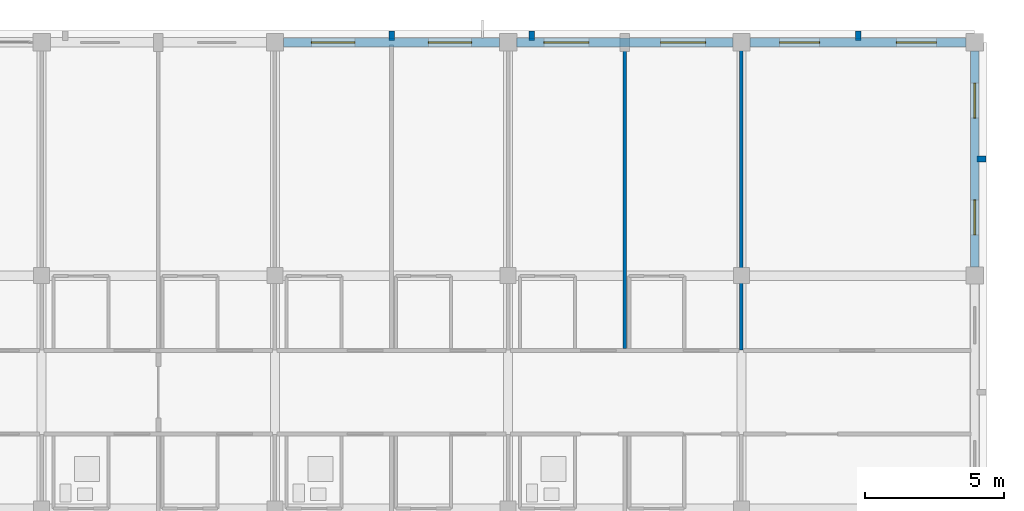
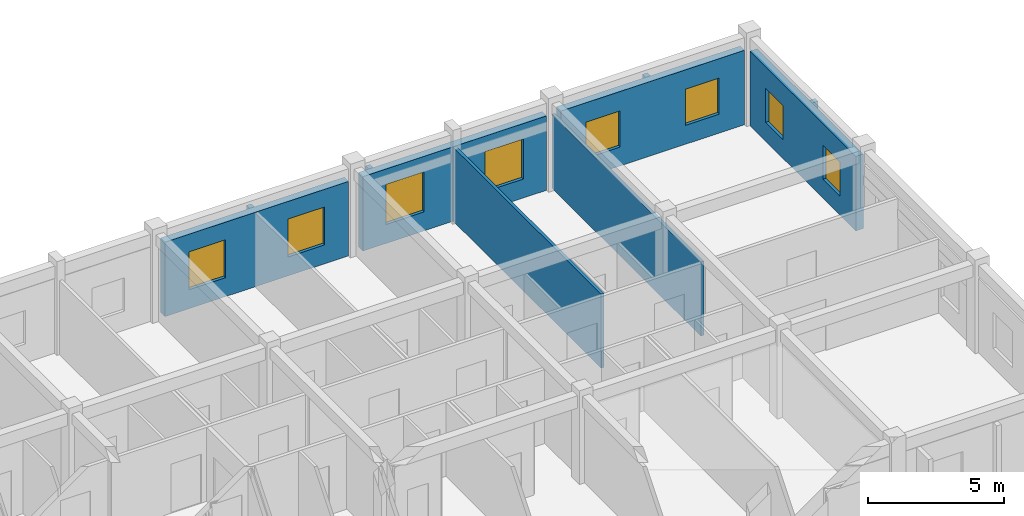
# One storey, part 73 of 81: 10 walls, 8 windows, 8 openings.
"""IFC4 building model written with IfcOpenShell, lengths in metres."""

from ifc_helpers import new_model, si_unit, direction, frame, frame_2d, origin, place, context, subcontext, project, spatial, rectangle, extrude, material, layer, layer_set, type_object, element, fill, save


model = new_model("IFC4")

# Units and contexts
model_context = context("Model", 3, precision=1e-05, world=origin(), true_north=direction((0.0, 1.0)))
body_context = subcontext(model_context, "Body", "Model", "MODEL_VIEW")
ifc_project = project(units=[si_unit("LENGTHUNIT", "METRE"), si_unit("AREAUNIT", "SQUARE_METRE"), si_unit("VOLUMEUNIT", "CUBIC_METRE"), si_unit("PLANEANGLEUNIT", "RADIAN"), si_unit("MASSUNIT", "GRAM", prefix="KILO")], contexts=[model_context])

# Site, building, storey
site_placement = place(None, origin())
site = spatial("IfcSite", under=ifc_project, at=site_placement, CompositionType="ELEMENT")
building_placement = place(site_placement, origin())
building = spatial("IfcBuilding", under=site, at=building_placement, Name="Trelvath General Hospital", CompositionType="ELEMENT")
storey_placement = place(building_placement, frame((0.0, 0.0, 24.60009765625)))
storey = spatial("IfcBuildingStorey", under=building, at=storey_placement, Name="L06", CompositionType="ELEMENT", Elevation=24.60009765625)

# Walls
ifc_material_1 = material(Name="Precast concrete C40/50", Category="concrete")
ifc_layer_1 = layer(ifc_material_1, 0.199951171875)
ifc_layer_set_1 = layer_set([ifc_layer_1], Name="Precast concrete C40/50")
wall_type_1 = type_object("IfcWallType", Name="BriseSoleilRib 200", PredefinedType="ELEMENTEDWALL", material=ifc_layer_set_1)
for number, where, z_axis, x_axis, name in (
    (1, (113.39990234375, 117.675048828125, 0.0), (0.0, 0.0, 1.0), (0.0, 1.0, 0.0), "Precast Concrete Brise-Soleil Rib Fin L06-451"),
    (2, (118.4501953125, 117.675048828125, 0.0), (0.0, 0.0, 1.0), (0.0, 1.0, 0.0), "Precast Concrete Brise-Soleil Rib Fin L06-453"),
    (3, (130.199951171875, 117.675048828125, 0.0), (0.0, 0.0, 1.0), (0.0, 1.0, 0.0), "Precast Concrete Brise-Soleil Rib Fin L06-457"),
    (4, (134.47509765625, 113.39990234375, 0.0), (0.0, 0.0, 1.0), (1.0, 0.0, 0.0), "Precast Concrete Brise-Soleil Rib Fin L06-458"),
):
    element("IfcWall", number, at=place(storey_placement, frame(where, z_axis=z_axis, x_axis=x_axis)), inside=storey, type_object=wall_type_1, Name=name, PredefinedType="ELEMENTEDWALL", context=body_context, shape_type="SweptSolid", body=[
        extrude(rectangle(XDim=0.33984375, YDim=0.199951171875, at=frame_2d((0.169921875, 0.0))), origin(), (0.0, 0.0, 1.0), 3.31982421875),
    ])

# Wall, openings, windows
ifc_material_2 = material(Name="Concrete C35/45", Category="concrete")
ifc_layer_2 = layer(ifc_material_2, 0.320068359375)
ifc_layer_set_2 = layer_set([ifc_layer_2], Name="Concrete C35/45")
wall_type_2 = type_object("IfcWallType", Name="ExtThermalWall 320", PredefinedType="SOLIDWALL", material=ifc_layer_set_2)
wall_1_placement = place(storey_placement, frame((109.5048828125, 117.60009765625, 0.0), z_axis=(0.0, 0.0, 1.0), x_axis=(1.0, 0.0, 0.0)))
wall_1 = element("IfcWall", 5, at=wall_1_placement, inside=storey, type_object=wall_type_2, Name="Exterior Concrete Wall L06-600", PredefinedType="SOLIDWALL", context=body_context, shape_type="SweptSolid", body=[
    extrude(rectangle(XDim=7.7900390625, YDim=0.320068359375, at=frame_2d((3.89501953125, 0.0))), origin(), (0.0, 0.0, 1.0), 3.33984375),
])
opening_1_placement = place(wall_1_placement, frame((1.01171875, 0.0, 0.85009765625)))
opening_1 = element("IfcOpeningElement", 6, at=opening_1_placement, cuts=wall_1, Name="Opening WN-6-1007", PredefinedType="OPENING", context=body_context, shape_type="SweptSolid", body=[
    extrude(rectangle(XDim=1.56005859375, YDim=1.699951171875, at=frame_2d((0.780029296875, 0.85009765625))), frame((0.0, 0.169921875, 0.0), z_axis=(0.0, -1.0, 0.0), x_axis=(1.0, 0.0, 0.0)), (0.0, 0.0, 1.0), 0.340087890625),
])
opening_2_placement = place(wall_1_placement, frame((5.21826171875, 0.0, 0.85009765625)))
opening_2 = element("IfcOpeningElement", 7, at=opening_2_placement, cuts=wall_1, Name="Opening WN-6-1008", PredefinedType="OPENING", context=body_context, shape_type="SweptSolid", body=[
    extrude(rectangle(XDim=1.56005859375, YDim=1.699951171875, at=frame_2d((0.780029296875, 0.85009765625))), frame((0.0, 0.169921875, 0.0), z_axis=(0.0, -1.0, 0.0), x_axis=(1.0, 0.0, 0.0)), (0.0, 0.0, 1.0), 0.340087890625),
])
ifc_material_3 = material(Name="Low-E laminated glass", Category="glass")
window_type_1 = type_object("IfcWindowType", Name="Window Dialysis 1560x1700", PartitioningType="DOUBLE_PANEL_VERTICAL", PredefinedType="WINDOW", material=ifc_material_3)
window_1_placement = place(opening_1_placement, origin())
window_1 = element("IfcWindow", 8, at=window_1_placement, inside=storey, type_object=window_type_1, Name="Solar Reveal Window L06-1007", OverallHeight=1.699951171875, OverallWidth=1.56005859375, PartitioningType="SINGLE_PANEL", PredefinedType="WINDOW", context=body_context, shape_type="SweptSolid", body=[
    extrude(rectangle(XDim=1.56005859375, YDim=1.699951171875, at=frame_2d((0.780029296875, 0.85009765625))), frame((0.0, 0.030029296875, 0.0), z_axis=(0.0, -1.0, 0.0), x_axis=(1.0, 0.0, 0.0)), (0.0, 0.0, 1.0), 0.06005859375),
])
fill(opening_1, window_1)
window_2_placement = place(opening_2_placement, origin())
window_2 = element("IfcWindow", 9, at=window_2_placement, inside=storey, type_object=window_type_1, Name="Solar Reveal Window L06-1008", OverallHeight=1.699951171875, OverallWidth=1.56005859375, PartitioningType="SINGLE_PANEL", PredefinedType="WINDOW", context=body_context, shape_type="SweptSolid", body=[
    extrude(rectangle(XDim=1.56005859375, YDim=1.699951171875, at=frame_2d((0.780029296875, 0.85009765625))), frame((0.0, 0.030029296875, 0.0), z_axis=(0.0, -1.0, 0.0), x_axis=(1.0, 0.0, 0.0)), (0.0, 0.0, 1.0), 0.06005859375),
])
fill(opening_2, window_2)

wall_2_placement = place(storey_placement, frame((117.905029296875, 117.60009765625, 0.0), z_axis=(0.0, 0.0, 1.0), x_axis=(1.0, 0.0, 0.0)))
wall_2 = element("IfcWall", 10, at=wall_2_placement, inside=storey, type_object=wall_type_2, Name="Exterior Concrete Wall L06-602", PredefinedType="SOLIDWALL", context=body_context, shape_type="SweptSolid", body=[
    extrude(rectangle(XDim=7.7900390625, YDim=0.320068359375, at=frame_2d((3.89501953125, 0.0))), origin(), (0.0, 0.0, 1.0), 3.33984375),
])
opening_3_placement = place(wall_2_placement, frame((0.981689453125, 0.0, 0.85009765625)))
opening_3 = element("IfcOpeningElement", 11, at=opening_3_placement, cuts=wall_2, Name="Opening WN-6-1011", PredefinedType="OPENING", context=body_context, shape_type="SweptSolid", body=[
    extrude(rectangle(XDim=1.6201171875, YDim=1.800048828125, at=frame_2d((0.81005859375, 0.89990234375))), frame((0.0, 0.169921875, 0.0), z_axis=(0.0, -1.0, 0.0), x_axis=(1.0, 0.0, 0.0)), (0.0, 0.0, 1.0), 0.340087890625),
])
opening_4_placement = place(wall_2_placement, frame((5.188232421875, 0.0, 0.85009765625)))
opening_4 = element("IfcOpeningElement", 12, at=opening_4_placement, cuts=wall_2, Name="Opening WN-6-1012", PredefinedType="OPENING", context=body_context, shape_type="SweptSolid", body=[
    extrude(rectangle(XDim=1.6201171875, YDim=1.800048828125, at=frame_2d((0.81005859375, 0.89990234375))), frame((0.0, 0.169921875, 0.0), z_axis=(0.0, -1.0, 0.0), x_axis=(1.0, 0.0, 0.0)), (0.0, 0.0, 1.0), 0.340087890625),
])
ifc_material_4 = material(Name="Low-E laminated glass", Category="glass")
window_type_2 = type_object("IfcWindowType", Name="Window Rehab 1620x1800", PartitioningType="DOUBLE_PANEL_VERTICAL", PredefinedType="WINDOW", material=ifc_material_4)
window_3_placement = place(opening_3_placement, origin())
window_3 = element("IfcWindow", 13, at=window_3_placement, inside=storey, type_object=window_type_2, Name="Solar Reveal Window L06-1011", OverallHeight=1.800048828125, OverallWidth=1.6201171875, PartitioningType="SINGLE_PANEL", PredefinedType="WINDOW", context=body_context, shape_type="SweptSolid", body=[
    extrude(rectangle(XDim=1.6201171875, YDim=1.800048828125, at=frame_2d((0.81005859375, 0.89990234375))), frame((0.0, 0.030029296875, 0.0), z_axis=(0.0, -1.0, 0.0), x_axis=(1.0, 0.0, 0.0)), (0.0, 0.0, 1.0), 0.06005859375),
])
fill(opening_3, window_3)
window_4_placement = place(opening_4_placement, origin())
window_4 = element("IfcWindow", 14, at=window_4_placement, inside=storey, type_object=window_type_2, Name="Solar Reveal Window L06-1012", OverallHeight=1.800048828125, OverallWidth=1.6201171875, PartitioningType="SINGLE_PANEL", PredefinedType="WINDOW", context=body_context, shape_type="SweptSolid", body=[
    extrude(rectangle(XDim=1.6201171875, YDim=1.800048828125, at=frame_2d((0.81005859375, 0.89990234375))), frame((0.0, 0.030029296875, 0.0), z_axis=(0.0, -1.0, 0.0), x_axis=(1.0, 0.0, 0.0)), (0.0, 0.0, 1.0), 0.06005859375),
])
fill(opening_4, window_4)

wall_3_placement = place(storey_placement, frame((126.304931640625, 117.60009765625, 0.0), z_axis=(0.0, 0.0, 1.0), x_axis=(1.0, 0.0, 0.0)))
wall_3 = element("IfcWall", 15, at=wall_3_placement, inside=storey, type_object=wall_type_2, Name="Exterior Concrete Wall L06-606", PredefinedType="SOLIDWALL", context=body_context, shape_type="SweptSolid", body=[
    extrude(rectangle(XDim=7.7900390625, YDim=0.320068359375, at=frame_2d((3.89501953125, 0.0))), origin(), (0.0, 0.0, 1.0), 3.33984375),
])
opening_5_placement = place(wall_3_placement, frame((1.07177734375, 0.0, 0.85009765625)))
opening_5 = element("IfcOpeningElement", 16, at=opening_5_placement, cuts=wall_3, Name="Opening WN-6-1019", PredefinedType="OPENING", context=body_context, shape_type="SweptSolid", body=[
    extrude(rectangle(XDim=1.43994140625, YDim=1.6201171875, at=frame_2d((0.719970703125, 0.81005859375))), frame((0.0, 0.169921875, 0.0), z_axis=(0.0, -1.0, 0.0), x_axis=(1.0, 0.0, 0.0)), (0.0, 0.0, 1.0), 0.340087890625),
])
opening_6_placement = place(wall_3_placement, frame((5.2783203125, 0.0, 0.85009765625)))
opening_6 = element("IfcOpeningElement", 17, at=opening_6_placement, cuts=wall_3, Name="Opening WN-6-1020", PredefinedType="OPENING", context=body_context, shape_type="SweptSolid", body=[
    extrude(rectangle(XDim=1.43994140625, YDim=1.6201171875, at=frame_2d((0.719970703125, 0.81005859375))), frame((0.0, 0.169921875, 0.0), z_axis=(0.0, -1.0, 0.0), x_axis=(1.0, 0.0, 0.0)), (0.0, 0.0, 1.0), 0.340087890625),
])
ifc_material_5 = material(Name="Low-E laminated glass", Category="glass")
window_type_3 = type_object("IfcWindowType", Name="Window Maternity 1440x1620", PartitioningType="DOUBLE_PANEL_VERTICAL", PredefinedType="WINDOW", material=ifc_material_5)
window_5_placement = place(opening_5_placement, origin())
window_5 = element("IfcWindow", 18, at=window_5_placement, inside=storey, type_object=window_type_3, Name="Solar Reveal Window L06-1019", OverallHeight=1.6201171875, OverallWidth=1.43994140625, PartitioningType="SINGLE_PANEL", PredefinedType="WINDOW", context=body_context, shape_type="SweptSolid", body=[
    extrude(rectangle(XDim=1.43994140625, YDim=1.6201171875, at=frame_2d((0.719970703125, 0.81005859375))), frame((0.0, 0.030029296875, 0.0), z_axis=(0.0, -1.0, 0.0), x_axis=(1.0, 0.0, 0.0)), (0.0, 0.0, 1.0), 0.06005859375),
])
fill(opening_5, window_5)
window_6_placement = place(opening_6_placement, origin())
window_6 = element("IfcWindow", 19, at=window_6_placement, inside=storey, type_object=window_type_3, Name="Solar Reveal Window L06-1020", OverallHeight=1.6201171875, OverallWidth=1.43994140625, PartitioningType="SINGLE_PANEL", PredefinedType="WINDOW", context=body_context, shape_type="SweptSolid", body=[
    extrude(rectangle(XDim=1.43994140625, YDim=1.6201171875, at=frame_2d((0.719970703125, 0.81005859375))), frame((0.0, 0.030029296875, 0.0), z_axis=(0.0, -1.0, 0.0), x_axis=(1.0, 0.0, 0.0)), (0.0, 0.0, 1.0), 0.06005859375),
])
fill(opening_6, window_6)

wall_4_placement = place(storey_placement, frame((134.39990234375, 117.294921875, 0.0), z_axis=(0.0, 0.0, 1.0), x_axis=(0.0, -1.0, 0.0)))
wall_4 = element("IfcWall", 20, at=wall_4_placement, inside=storey, type_object=wall_type_2, Name="Exterior Concrete Wall L06-607", PredefinedType="SOLIDWALL", context=body_context, shape_type="SweptSolid", body=[
    extrude(rectangle(XDim=7.7900390625, YDim=0.320068359375, at=frame_2d((3.89501953125, 0.0))), origin(), (0.0, 0.0, 1.0), 3.33984375),
])
opening_7_placement = place(wall_4_placement, frame((1.16162109375, 0.0, 0.85009765625)))
opening_7 = element("IfcOpeningElement", 21, at=opening_7_placement, cuts=wall_4, Name="Opening WN-6-1021", PredefinedType="OPENING", context=body_context, shape_type="SweptSolid", body=[
    extrude(rectangle(XDim=1.260009765625, YDim=1.52001953125, at=frame_2d((0.6298828125, 0.760009765625))), frame((0.0, 0.169921875, 0.0), z_axis=(0.0, -1.0, 0.0), x_axis=(1.0, 0.0, 0.0)), (0.0, 0.0, 1.0), 0.340087890625),
])
opening_8_placement = place(wall_4_placement, frame((5.368408203125, 0.0, 0.85009765625)))
opening_8 = element("IfcOpeningElement", 22, at=opening_8_placement, cuts=wall_4, Name="Opening WN-6-1022", PredefinedType="OPENING", context=body_context, shape_type="SweptSolid", body=[
    extrude(rectangle(XDim=1.260009765625, YDim=1.52001953125, at=frame_2d((0.6298828125, 0.760009765625))), frame((0.0, 0.169921875, 0.0), z_axis=(0.0, -1.0, 0.0), x_axis=(1.0, 0.0, 0.0)), (0.0, 0.0, 1.0), 0.340087890625),
])
ifc_material_6 = material(Name="Low-E laminated glass", Category="glass")
window_type_4 = type_object("IfcWindowType", Name="Window Oncology 1260x1520", PartitioningType="SINGLE_PANEL", PredefinedType="WINDOW", material=ifc_material_6)
window_7_placement = place(opening_7_placement, origin())
window_7 = element("IfcWindow", 23, at=window_7_placement, inside=storey, type_object=window_type_4, Name="Solar Reveal Window L06-1021", OverallHeight=1.52001953125, OverallWidth=1.260009765625, PartitioningType="SINGLE_PANEL", PredefinedType="WINDOW", context=body_context, shape_type="SweptSolid", body=[
    extrude(rectangle(XDim=1.260009765625, YDim=1.52001953125, at=frame_2d((0.6298828125, 0.760009765625))), frame((0.0, 0.030029296875, 0.0), z_axis=(0.0, -1.0, 0.0), x_axis=(1.0, 0.0, 0.0)), (0.0, 0.0, 1.0), 0.06005859375),
])
fill(opening_7, window_7)
window_8_placement = place(opening_8_placement, origin())
window_8 = element("IfcWindow", 24, at=window_8_placement, inside=storey, type_object=window_type_4, Name="Solar Reveal Window L06-1022", OverallHeight=1.52001953125, OverallWidth=1.260009765625, PartitioningType="SINGLE_PANEL", PredefinedType="WINDOW", context=body_context, shape_type="SweptSolid", body=[
    extrude(rectangle(XDim=1.260009765625, YDim=1.52001953125, at=frame_2d((0.6298828125, 0.760009765625))), frame((0.0, 0.030029296875, 0.0), z_axis=(0.0, -1.0, 0.0), x_axis=(1.0, 0.0, 0.0)), (0.0, 0.0, 1.0), 0.06005859375),
])
fill(opening_8, window_8)

# Walls
ifc_material_7 = material(Name="Gypsum acoustic steel-stud partition", Category="steel")
ifc_layer_3 = layer(ifc_material_7, 0.1298828125)
ifc_layer_set_3 = layer_set([ifc_layer_3], Name="Gypsum acoustic steel-stud partition")
wall_type_3 = type_object("IfcWallType", Name="WardPartition 130", PredefinedType="PARTITIONING", material=ifc_layer_set_3)
wall_5_placement = place(storey_placement, frame((121.800048828125, 106.570068359375, 0.0), z_axis=(0.0, 0.0, 1.0), x_axis=(0.0, 1.0, 0.0)))
element("IfcWall", 25, at=wall_5_placement, inside=storey, type_object=wall_type_3, Name="Room Dividing Partition N L06-2308", PredefinedType="PARTITIONING", context=body_context, shape_type="SweptSolid", body=[
    extrude(rectangle(XDim=10.929931640625, YDim=0.1298828125, at=frame_2d((5.46484375, 0.0))), origin(), (0.0, 0.0, 1.0), 3.31982421875),
])
wall_6_placement = place(storey_placement, frame((126.0, 106.52001953125, 0.0), z_axis=(0.0, 0.0, 1.0), x_axis=(0.0, 1.0, 0.0)))
element("IfcWall", 26, at=wall_6_placement, inside=storey, type_object=wall_type_3, Name="Inter-Bay Ward Partition N L06-2316", PredefinedType="PARTITIONING", context=body_context, shape_type="SweptSolid", body=[
    extrude(rectangle(XDim=10.93994140625, YDim=0.1298828125, at=frame_2d((5.469970703125, 0.0))), origin(), (0.0, 0.0, 1.0), 3.31982421875),
])

save(model, "model.ifc")
